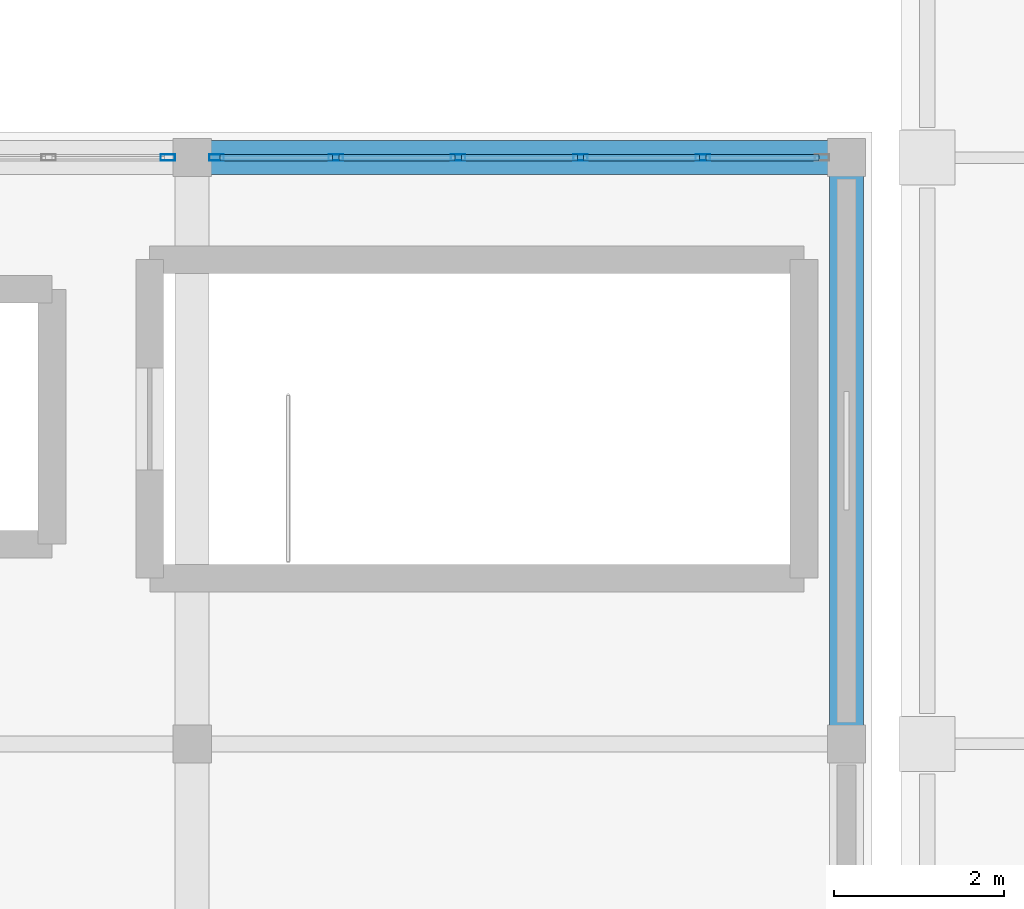
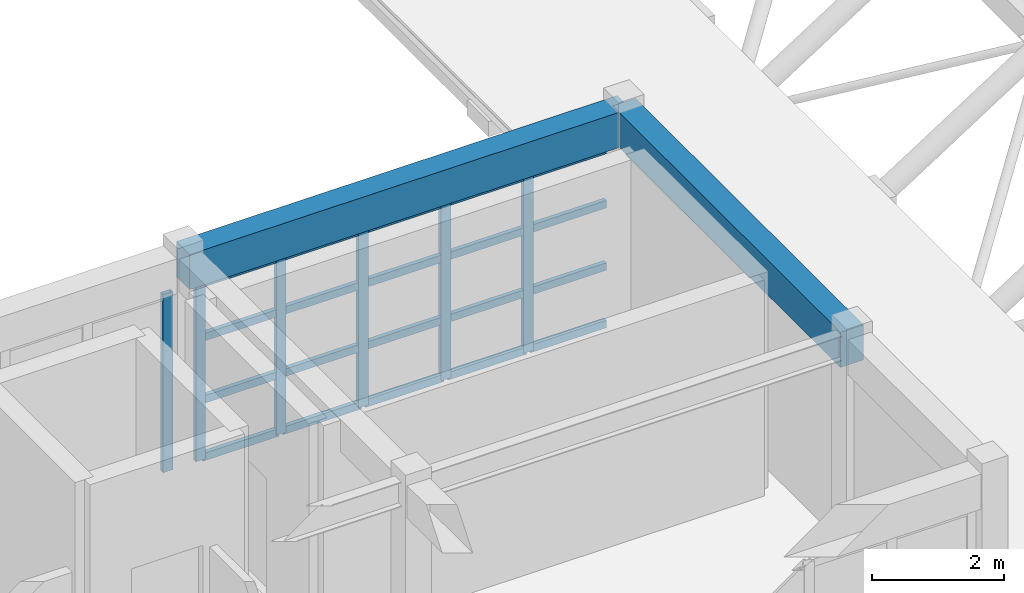
# One storey, part 18 of 52: 26 members, 2 beams, 2 elements without a shape of their own.
"""IFC4 building model written with IfcOpenShell, lengths in metres."""

from ifc_helpers import new_model, si_unit, direction, frame, origin, origin_2d, place, context, subcontext, project, spatial, rectangle, hollow_rectangle, extrude, material, layer, layer_set, material_profile, profile_set, type_object, element, aggregate, save


model = new_model("IFC4")

# Units and contexts
model_context = context("Model", 3, precision=1e-05, world=origin(), true_north=direction((0.0, 1.0)))
body_context = subcontext(model_context, "Body", "Model", "MODEL_VIEW")
ifc_project = project(units=[si_unit("LENGTHUNIT", "METRE"), si_unit("AREAUNIT", "SQUARE_METRE"), si_unit("VOLUMEUNIT", "CUBIC_METRE"), si_unit("PLANEANGLEUNIT", "RADIAN"), si_unit("MASSUNIT", "GRAM", prefix="KILO")], contexts=[model_context])

# Site, building, storey
site_placement = place(None, origin())
site = spatial("IfcSite", under=ifc_project, at=site_placement, CompositionType="ELEMENT")
building_placement = place(site_placement, origin())
building = spatial("IfcBuilding", under=site, at=building_placement, Name="Candilejo Ridge Gondola Terminal", CompositionType="ELEMENT")
storey_placement = place(building_placement, frame((0.0, 0.0, 18.60009765625)))
storey = spatial("IfcBuildingStorey", under=building, at=storey_placement, Name="L04", CompositionType="ELEMENT", Elevation=18.60009765625)

# Curtain wall, member
ifc_material_1 = material(Name="Anodised aluminium AA 6063-T6", Category="aluminium")
ifc_layer = layer(ifc_material_1, 0.169921875)
ifc_layer_set = layer_set([ifc_layer], Name="ARC-CW-GALLERY-3200-720X329")
curtain_wall_type = type_object("IfcCurtainWallType", Name="ARC-CW-GALLERY-3200-720X329", PredefinedType="NOTDEFINED", material=ifc_layer_set)
curtain_wall_1_placement = place(storey_placement, origin())
curtain_wall_1 = element("IfcCurtainWall", 1, at=curtain_wall_1_placement, inside=storey, type_object=curtain_wall_type, Name="Curtain wall V3 L04-106", PredefinedType="NOTDEFINED")
ifc_material_2 = material(Name="Anodised aluminium AA 6063-T6", Category="aluminium")
ifc_material_profile_1 = material_profile(ifc_material_2, hollow_rectangle(XDim=0.074951171875, YDim=0.169921875, WallThickness=0.00390625, at=origin_2d()))
ifc_profile_set_1 = profile_set([ifc_material_profile_1], Name="Anodised aluminium AA 6063-T6")
member_type_1 = type_object("IfcMemberType", Name="ARC-CW-MULLION", PredefinedType="MULLION", material=ifc_profile_set_1)
member_1_placement = place(storey_placement, frame((124.96240234375, 36.699951171875, 0.0), z_axis=(0.0, 0.0, 1.0), x_axis=(0.0, 1.0, 0.0)))
member_1 = element("IfcMember", 2, at=member_1_placement, type_object=member_type_1, Name="CW-72X32 mullion 6", PredefinedType="MULLION", context=body_context, shape_type="SweptSolid", body=[
    extrude(hollow_rectangle(XDim=0.074951171875, YDim=0.169921875, WallThickness=0.00390625, at=origin_2d()), origin(), (0.0, 0.0, 1.0), 3.289794921875),
])
aggregate(curtain_wall_1, [member_1])

# Curtain wall, members
curtain_wall_2_placement = place(storey_placement, origin())
curtain_wall_2 = element("IfcCurtainWall", 3, at=curtain_wall_2_placement, inside=storey, type_object=curtain_wall_type, Name="Curtain wall V3 L04-108", PredefinedType="NOTDEFINED")
member_2_placement = place(storey_placement, frame((125.53759765625, 36.699951171875, 0.0), z_axis=(0.0, 0.0, 1.0), x_axis=(0.0, 1.0, 0.0)))
member_2 = element("IfcMember", 4, at=member_2_placement, type_object=member_type_1, Name="CW-72X32 mullion 1", PredefinedType="MULLION", context=body_context, shape_type="SweptSolid", body=[
    extrude(hollow_rectangle(XDim=0.074951171875, YDim=0.169921875, WallThickness=0.00390625, at=origin_2d()), origin(), (0.0, 0.0, 1.0), 3.289794921875),
])
member_3_placement = place(storey_placement, frame((126.93994140625, 36.699951171875, 0.0), z_axis=(0.0, 0.0, 1.0), x_axis=(0.0, 1.0, 0.0)))
member_3 = element("IfcMember", 5, at=member_3_placement, type_object=member_type_1, Name="CW-72X32 mullion 2", PredefinedType="MULLION", context=body_context, shape_type="SweptSolid", body=[
    extrude(hollow_rectangle(XDim=0.074951171875, YDim=0.169921875, WallThickness=0.00390625, at=origin_2d()), origin(), (0.0, 0.0, 1.0), 3.289794921875),
])
member_4_placement = place(storey_placement, frame((128.3798828125, 36.699951171875, 0.0), z_axis=(0.0, 0.0, 1.0), x_axis=(0.0, 1.0, 0.0)))
member_4 = element("IfcMember", 6, at=member_4_placement, type_object=member_type_1, Name="CW-72X32 mullion 3", PredefinedType="MULLION", context=body_context, shape_type="SweptSolid", body=[
    extrude(hollow_rectangle(XDim=0.074951171875, YDim=0.169921875, WallThickness=0.00390625, at=origin_2d()), origin(), (0.0, 0.0, 1.0), 3.289794921875),
])
member_5_placement = place(storey_placement, frame((129.820068359375, 36.699951171875, 0.0), z_axis=(0.0, 0.0, 1.0), x_axis=(0.0, 1.0, 0.0)))
member_5 = element("IfcMember", 7, at=member_5_placement, type_object=member_type_1, Name="CW-72X32 mullion 4", PredefinedType="MULLION", context=body_context, shape_type="SweptSolid", body=[
    extrude(hollow_rectangle(XDim=0.074951171875, YDim=0.169921875, WallThickness=0.00390625, at=origin_2d()), origin(), (0.0, 0.0, 1.0), 3.289794921875),
])
member_6_placement = place(storey_placement, frame((131.260009765625, 36.699951171875, 0.0), z_axis=(0.0, 0.0, 1.0), x_axis=(0.0, 1.0, 0.0)))
member_6 = element("IfcMember", 8, at=member_6_placement, type_object=member_type_1, Name="CW-72X32 mullion 5", PredefinedType="MULLION", context=body_context, shape_type="SweptSolid", body=[
    extrude(hollow_rectangle(XDim=0.074951171875, YDim=0.169921875, WallThickness=0.00390625, at=origin_2d()), origin(), (0.0, 0.0, 1.0), 3.289794921875),
])
ifc_material_3 = material(Name="Anodised aluminium AA 6063-T6", Category="aluminium")
ifc_material_profile_2 = material_profile(ifc_material_3, hollow_rectangle(XDim=0.074951171875, YDim=0.139892578125, WallThickness=0.00390625, at=origin_2d()))
ifc_profile_set_2 = profile_set([ifc_material_profile_2], Name="Anodised aluminium AA 6063-T6")
member_type_2 = type_object("IfcMemberType", Name="ARC-CW-TRANSOM", PredefinedType="USERDEFINED", material=ifc_profile_set_2)
member_7_placement = place(storey_placement, frame((125.574951171875, 36.699951171875, 0.037353515625), z_axis=(1.0, 0.0, 0.0), x_axis=(0.0, 1.0, 0.0)))
member_7 = element("IfcMember", 9, at=member_7_placement, type_object=member_type_2, Name="CW-72X32 transom 1.1", ObjectType="TRANSOM", PredefinedType="USERDEFINED", context=body_context, shape_type="SweptSolid", body=[
    extrude(hollow_rectangle(XDim=0.074951171875, YDim=0.139892578125, WallThickness=0.00390625, at=origin_2d()), origin(), (0.0, 0.0, 1.0), 1.32763671875),
])
member_8_placement = place(storey_placement, frame((125.574951171875, 36.699951171875, 1.099853515625), z_axis=(1.0, 0.0, 0.0), x_axis=(0.0, 1.0, 0.0)))
member_8 = element("IfcMember", 10, at=member_8_placement, type_object=member_type_2, Name="CW-72X32 transom 1.2", ObjectType="TRANSOM", PredefinedType="USERDEFINED", context=body_context, shape_type="SweptSolid", body=[
    extrude(hollow_rectangle(XDim=0.074951171875, YDim=0.139892578125, WallThickness=0.00390625, at=origin_2d()), origin(), (0.0, 0.0, 1.0), 1.32763671875),
])
member_9_placement = place(storey_placement, frame((125.574951171875, 36.699951171875, 2.25), z_axis=(1.0, 0.0, 0.0), x_axis=(0.0, 1.0, 0.0)))
member_9 = element("IfcMember", 11, at=member_9_placement, type_object=member_type_2, Name="CW-72X32 transom 1.3", ObjectType="TRANSOM", PredefinedType="USERDEFINED", context=body_context, shape_type="SweptSolid", body=[
    extrude(hollow_rectangle(XDim=0.074951171875, YDim=0.139892578125, WallThickness=0.00390625, at=origin_2d()), origin(), (0.0, 0.0, 1.0), 1.32763671875),
])
member_10_placement = place(storey_placement, frame((125.574951171875, 36.699951171875, 3.25244140625), z_axis=(1.0, 0.0, 0.0), x_axis=(0.0, 1.0, 0.0)))
member_10 = element("IfcMember", 12, at=member_10_placement, type_object=member_type_2, Name="CW-72X32 transom 1.4", ObjectType="TRANSOM", PredefinedType="USERDEFINED", context=body_context, shape_type="SweptSolid", body=[
    extrude(hollow_rectangle(XDim=0.074951171875, YDim=0.139892578125, WallThickness=0.00390625, at=origin_2d()), origin(), (0.0, 0.0, 1.0), 1.32763671875),
])
member_11_placement = place(storey_placement, frame((126.9775390625, 36.699951171875, 0.037353515625), z_axis=(1.0, 0.0, 0.0), x_axis=(0.0, 1.0, 0.0)))
member_11 = element("IfcMember", 13, at=member_11_placement, type_object=member_type_2, Name="CW-72X32 transom 2.1", ObjectType="TRANSOM", PredefinedType="USERDEFINED", context=body_context, shape_type="SweptSolid", body=[
    extrude(hollow_rectangle(XDim=0.074951171875, YDim=0.139892578125, WallThickness=0.00390625, at=origin_2d()), origin(), (0.0, 0.0, 1.0), 1.364990234375),
])
member_12_placement = place(storey_placement, frame((126.9775390625, 36.699951171875, 1.099853515625), z_axis=(1.0, 0.0, 0.0), x_axis=(0.0, 1.0, 0.0)))
member_12 = element("IfcMember", 14, at=member_12_placement, type_object=member_type_2, Name="CW-72X32 transom 2.2", ObjectType="TRANSOM", PredefinedType="USERDEFINED", context=body_context, shape_type="SweptSolid", body=[
    extrude(hollow_rectangle(XDim=0.074951171875, YDim=0.139892578125, WallThickness=0.00390625, at=origin_2d()), origin(), (0.0, 0.0, 1.0), 1.364990234375),
])
member_13_placement = place(storey_placement, frame((126.9775390625, 36.699951171875, 2.25), z_axis=(1.0, 0.0, 0.0), x_axis=(0.0, 1.0, 0.0)))
member_13 = element("IfcMember", 15, at=member_13_placement, type_object=member_type_2, Name="CW-72X32 transom 2.3", ObjectType="TRANSOM", PredefinedType="USERDEFINED", context=body_context, shape_type="SweptSolid", body=[
    extrude(hollow_rectangle(XDim=0.074951171875, YDim=0.139892578125, WallThickness=0.00390625, at=origin_2d()), origin(), (0.0, 0.0, 1.0), 1.364990234375),
])
member_14_placement = place(storey_placement, frame((126.9775390625, 36.699951171875, 3.25244140625), z_axis=(1.0, 0.0, 0.0), x_axis=(0.0, 1.0, 0.0)))
member_14 = element("IfcMember", 16, at=member_14_placement, type_object=member_type_2, Name="CW-72X32 transom 2.4", ObjectType="TRANSOM", PredefinedType="USERDEFINED", context=body_context, shape_type="SweptSolid", body=[
    extrude(hollow_rectangle(XDim=0.074951171875, YDim=0.139892578125, WallThickness=0.00390625, at=origin_2d()), origin(), (0.0, 0.0, 1.0), 1.364990234375),
])
member_15_placement = place(storey_placement, frame((128.41748046875, 36.699951171875, 0.037353515625), z_axis=(1.0, 0.0, 0.0), x_axis=(0.0, 1.0, 0.0)))
member_15 = element("IfcMember", 17, at=member_15_placement, type_object=member_type_2, Name="CW-72X32 transom 3.1", ObjectType="TRANSOM", PredefinedType="USERDEFINED", context=body_context, shape_type="SweptSolid", body=[
    extrude(hollow_rectangle(XDim=0.074951171875, YDim=0.139892578125, WallThickness=0.00390625, at=origin_2d()), origin(), (0.0, 0.0, 1.0), 1.364990234375),
])
member_16_placement = place(storey_placement, frame((128.41748046875, 36.699951171875, 1.099853515625), z_axis=(1.0, 0.0, 0.0), x_axis=(0.0, 1.0, 0.0)))
member_16 = element("IfcMember", 18, at=member_16_placement, type_object=member_type_2, Name="CW-72X32 transom 3.2", ObjectType="TRANSOM", PredefinedType="USERDEFINED", context=body_context, shape_type="SweptSolid", body=[
    extrude(hollow_rectangle(XDim=0.074951171875, YDim=0.139892578125, WallThickness=0.00390625, at=origin_2d()), origin(), (0.0, 0.0, 1.0), 1.364990234375),
])
member_17_placement = place(storey_placement, frame((128.41748046875, 36.699951171875, 2.25), z_axis=(1.0, 0.0, 0.0), x_axis=(0.0, 1.0, 0.0)))
member_17 = element("IfcMember", 19, at=member_17_placement, type_object=member_type_2, Name="CW-72X32 transom 3.3", ObjectType="TRANSOM", PredefinedType="USERDEFINED", context=body_context, shape_type="SweptSolid", body=[
    extrude(hollow_rectangle(XDim=0.074951171875, YDim=0.139892578125, WallThickness=0.00390625, at=origin_2d()), origin(), (0.0, 0.0, 1.0), 1.364990234375),
])
member_18_placement = place(storey_placement, frame((128.41748046875, 36.699951171875, 3.25244140625), z_axis=(1.0, 0.0, 0.0), x_axis=(0.0, 1.0, 0.0)))
member_18 = element("IfcMember", 20, at=member_18_placement, type_object=member_type_2, Name="CW-72X32 transom 3.4", ObjectType="TRANSOM", PredefinedType="USERDEFINED", context=body_context, shape_type="SweptSolid", body=[
    extrude(hollow_rectangle(XDim=0.074951171875, YDim=0.139892578125, WallThickness=0.00390625, at=origin_2d()), origin(), (0.0, 0.0, 1.0), 1.364990234375),
])
member_19_placement = place(storey_placement, frame((129.857421875, 36.699951171875, 0.037353515625), z_axis=(1.0, 0.0, 0.0), x_axis=(0.0, 1.0, 0.0)))
member_19 = element("IfcMember", 21, at=member_19_placement, type_object=member_type_2, Name="CW-72X32 transom 4.1", ObjectType="TRANSOM", PredefinedType="USERDEFINED", context=body_context, shape_type="SweptSolid", body=[
    extrude(hollow_rectangle(XDim=0.074951171875, YDim=0.139892578125, WallThickness=0.00390625, at=origin_2d()), origin(), (0.0, 0.0, 1.0), 1.364990234375),
])
member_20_placement = place(storey_placement, frame((129.857421875, 36.699951171875, 1.099853515625), z_axis=(1.0, 0.0, 0.0), x_axis=(0.0, 1.0, 0.0)))
member_20 = element("IfcMember", 22, at=member_20_placement, type_object=member_type_2, Name="CW-72X32 transom 4.2", ObjectType="TRANSOM", PredefinedType="USERDEFINED", context=body_context, shape_type="SweptSolid", body=[
    extrude(hollow_rectangle(XDim=0.074951171875, YDim=0.139892578125, WallThickness=0.00390625, at=origin_2d()), origin(), (0.0, 0.0, 1.0), 1.364990234375),
])
member_21_placement = place(storey_placement, frame((129.857421875, 36.699951171875, 2.25), z_axis=(1.0, 0.0, 0.0), x_axis=(0.0, 1.0, 0.0)))
member_21 = element("IfcMember", 23, at=member_21_placement, type_object=member_type_2, Name="CW-72X32 transom 4.3", ObjectType="TRANSOM", PredefinedType="USERDEFINED", context=body_context, shape_type="SweptSolid", body=[
    extrude(hollow_rectangle(XDim=0.074951171875, YDim=0.139892578125, WallThickness=0.00390625, at=origin_2d()), origin(), (0.0, 0.0, 1.0), 1.364990234375),
])
member_22_placement = place(storey_placement, frame((129.857421875, 36.699951171875, 3.25244140625), z_axis=(1.0, 0.0, 0.0), x_axis=(0.0, 1.0, 0.0)))
member_22 = element("IfcMember", 24, at=member_22_placement, type_object=member_type_2, Name="CW-72X32 transom 4.4", ObjectType="TRANSOM", PredefinedType="USERDEFINED", context=body_context, shape_type="SweptSolid", body=[
    extrude(hollow_rectangle(XDim=0.074951171875, YDim=0.139892578125, WallThickness=0.00390625, at=origin_2d()), origin(), (0.0, 0.0, 1.0), 1.364990234375),
])
member_23_placement = place(storey_placement, frame((131.297607421875, 36.699951171875, 0.037353515625), z_axis=(1.0, 0.0, 0.0), x_axis=(0.0, 1.0, 0.0)))
member_23 = element("IfcMember", 25, at=member_23_placement, type_object=member_type_2, Name="CW-72X32 transom 5.1", ObjectType="TRANSOM", PredefinedType="USERDEFINED", context=body_context, shape_type="SweptSolid", body=[
    extrude(hollow_rectangle(XDim=0.074951171875, YDim=0.139892578125, WallThickness=0.00390625, at=origin_2d()), origin(), (0.0, 0.0, 1.0), 1.327392578125),
])
member_24_placement = place(storey_placement, frame((131.297607421875, 36.699951171875, 1.099853515625), z_axis=(1.0, 0.0, 0.0), x_axis=(0.0, 1.0, 0.0)))
member_24 = element("IfcMember", 26, at=member_24_placement, type_object=member_type_2, Name="CW-72X32 transom 5.2", ObjectType="TRANSOM", PredefinedType="USERDEFINED", context=body_context, shape_type="SweptSolid", body=[
    extrude(hollow_rectangle(XDim=0.074951171875, YDim=0.139892578125, WallThickness=0.00390625, at=origin_2d()), origin(), (0.0, 0.0, 1.0), 1.327392578125),
])
member_25_placement = place(storey_placement, frame((131.297607421875, 36.699951171875, 2.25), z_axis=(1.0, 0.0, 0.0), x_axis=(0.0, 1.0, 0.0)))
member_25 = element("IfcMember", 27, at=member_25_placement, type_object=member_type_2, Name="CW-72X32 transom 5.3", ObjectType="TRANSOM", PredefinedType="USERDEFINED", context=body_context, shape_type="SweptSolid", body=[
    extrude(hollow_rectangle(XDim=0.074951171875, YDim=0.139892578125, WallThickness=0.00390625, at=origin_2d()), origin(), (0.0, 0.0, 1.0), 1.327392578125),
])
member_26_placement = place(storey_placement, frame((131.297607421875, 36.699951171875, 3.25244140625), z_axis=(1.0, 0.0, 0.0), x_axis=(0.0, 1.0, 0.0)))
member_26 = element("IfcMember", 28, at=member_26_placement, type_object=member_type_2, Name="CW-72X32 transom 5.4", ObjectType="TRANSOM", PredefinedType="USERDEFINED", context=body_context, shape_type="SweptSolid", body=[
    extrude(hollow_rectangle(XDim=0.074951171875, YDim=0.139892578125, WallThickness=0.00390625, at=origin_2d()), origin(), (0.0, 0.0, 1.0), 1.327392578125),
])
aggregate(curtain_wall_2, [member_2, member_3, member_4, member_5, member_6, member_7, member_8, member_9, member_10, member_11, member_12, member_13, member_14, member_15, member_16, member_17, member_18, member_19, member_20, member_21, member_22, member_23, member_24, member_25, member_26])

# Beams
ifc_material_4 = material(Name="Concrete f'c 35 MPa (C35/45)", Category="concrete")
ifc_material_profile_3 = material_profile(ifc_material_4, rectangle(XDim=0.39990234375, YDim=0.64990234375, at=origin_2d()))
ifc_profile_set_3 = profile_set([ifc_material_profile_3], Name="Concrete f'c 35 MPa (C35/45)")
beam_type = type_object("IfcBeamType", Name="STR-SPN-RC400X650", PredefinedType="SPANDREL", material=ifc_profile_set_3)
beam_1_placement = place(storey_placement, frame((125.25, 36.699951171875, 3.6748046875), z_axis=(1.0, 0.0, 0.0), x_axis=(0.0, 1.0, 0.0)))
element("IfcBeam", 29, at=beam_1_placement, inside=storey, type_object=beam_type, Name="Beam X V3 L04 X19-X20@Y07", PredefinedType="SPANDREL", context=body_context, shape_type="SweptSolid", body=[
    extrude(rectangle(XDim=0.39990234375, YDim=0.64990234375, at=origin_2d()), origin(), (0.0, 0.0, 1.0), 7.699951171875),
])
beam_2_placement = place(storey_placement, frame((132.949951171875, 29.800048828125, 3.6748046875), z_axis=(0.0, 1.0, 0.0), x_axis=(-1.0, 0.0, 0.0)))
element("IfcBeam", 30, at=beam_2_placement, inside=storey, type_object=beam_type, Name="Beam Y V3 L04 Y06-Y07@X20", PredefinedType="SPANDREL", context=body_context, shape_type="SweptSolid", body=[
    extrude(rectangle(XDim=0.39990234375, YDim=0.64990234375, at=origin_2d()), origin(), (0.0, 0.0, 1.0), 6.89990234375),
])

save(model, "model.ifc")
